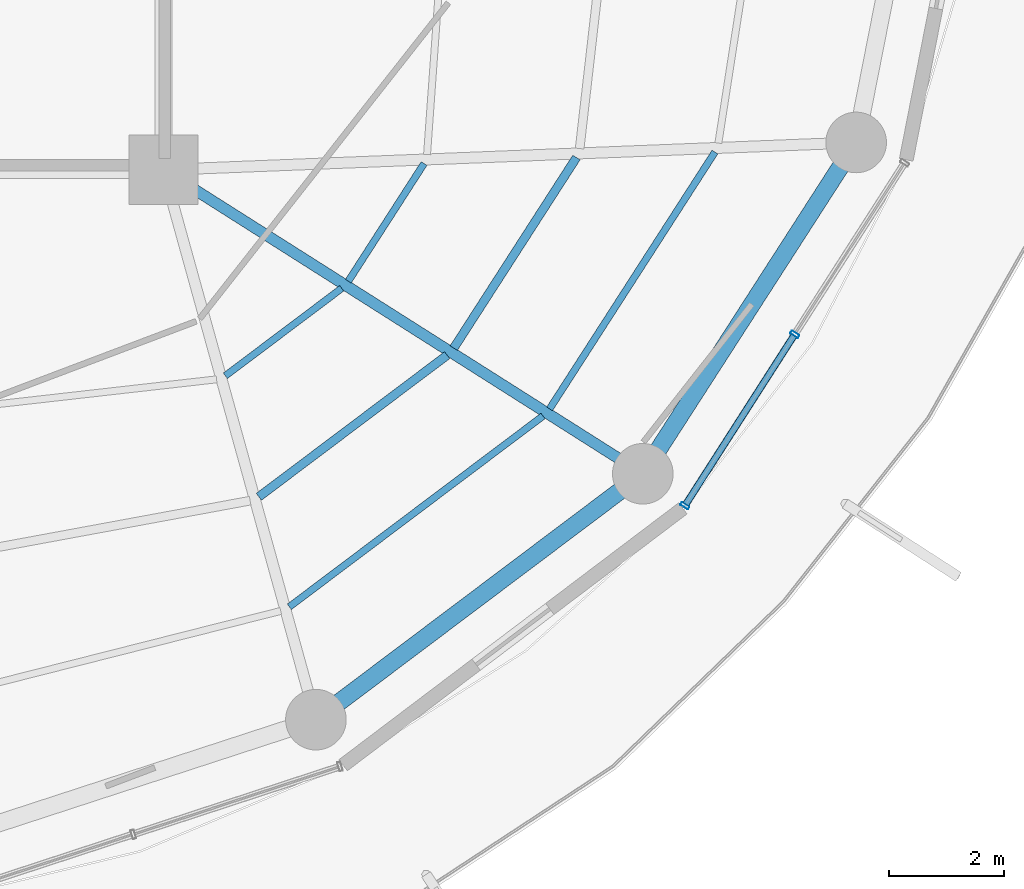
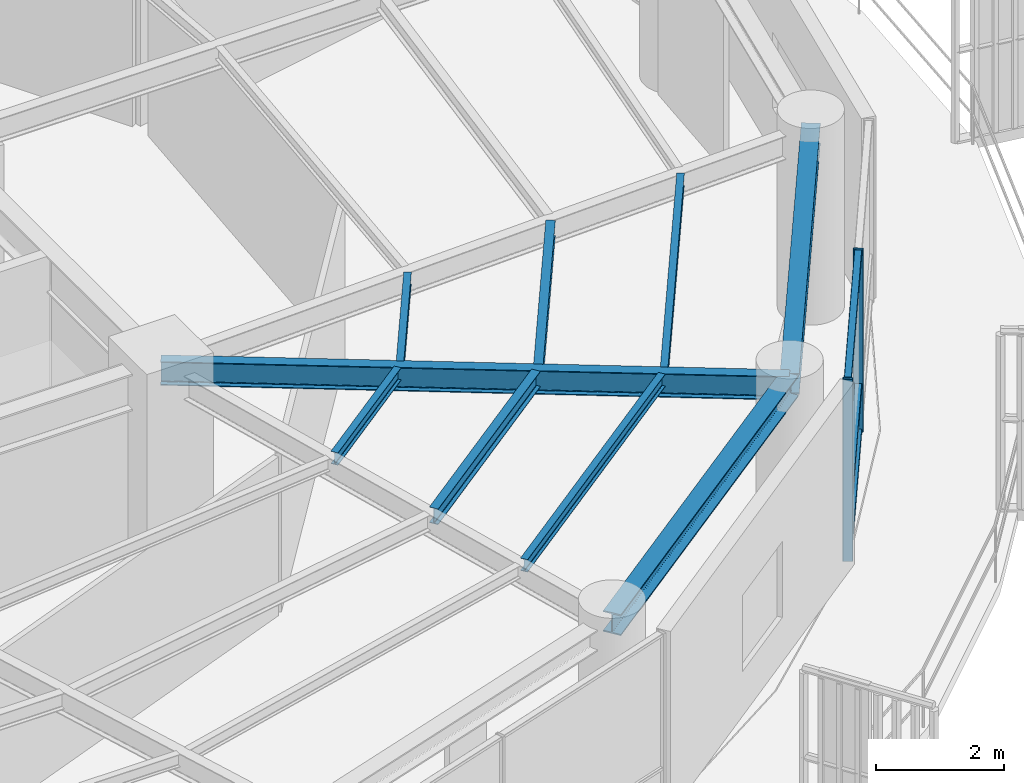
# One storey, part 11 of 31: 9 beams, 5 members, 1 element without a shape of its own.
"""IFC4 building model written with IfcOpenShell, lengths in metres."""

from ifc_helpers import new_model, si_unit, direction, frame, origin, origin_2d, place, context, subcontext, project, spatial, hollow_rectangle, i_section, extrude, material, layer, layer_set, material_profile, profile_set, type_object, element, aggregate, save


model = new_model("IFC4")

# Units and contexts
model_context = context("Model", 3, precision=1e-05, world=origin(), true_north=direction((0.0, 1.0)))
body_context = subcontext(model_context, "Body", "Model", "MODEL_VIEW")
ifc_project = project(units=[si_unit("LENGTHUNIT", "METRE"), si_unit("AREAUNIT", "SQUARE_METRE"), si_unit("VOLUMEUNIT", "CUBIC_METRE"), si_unit("PLANEANGLEUNIT", "RADIAN"), si_unit("MASSUNIT", "GRAM", prefix="KILO")], contexts=[model_context])

# Site, building, storey
site_placement = place(None, origin())
site = spatial("IfcSite", under=ifc_project, at=site_placement, CompositionType="ELEMENT")
building_placement = place(site_placement, origin())
building = spatial("IfcBuilding", under=site, at=building_placement, Name="Kelanora Arch Commons", CompositionType="ELEMENT")
storey_placement = place(building_placement, frame((0.0, 0.0, 196.949951171875)))
storey = spatial("IfcBuildingStorey", under=building, at=storey_placement, Name="L50", CompositionType="ELEMENT", Elevation=196.949951171875)

# Beams
ifc_material_1 = material(Name="Steel S355", Category="steel")
ifc_material_profile_1 = material_profile(ifc_material_1, i_section(OverallWidth=0.14990234375, OverallDepth=0.300048828125, WebThickness=0.007080078125, FlangeThickness=0.0107421875, FilletRadius=0.014892578125, at=origin_2d()), Name="IPE300")
ifc_profile_set_1 = profile_set([ifc_material_profile_1], Name="Steel S355")
beam_type_1 = type_object("IfcBeamType", Name="BM-JST-01", PredefinedType="JOIST", material=ifc_profile_set_1)
beam_1_placement = place(storey_placement, frame((83.65185546875, 45.3369140625, 3.340087890625), z_axis=(0.799101708656, 0.601195857624, 0.0), x_axis=(-0.601195857624, 0.799101708656, 0.0)))
element("IfcBeam", 1, at=beam_1_placement, inside=storey, type_object=beam_type_1, Name="Secondary Chord Joist BJB-30 L50", PredefinedType="JOIST", context=body_context, shape_type="SweptSolid", body=[
    extrude(i_section(OverallWidth=0.14990234375, OverallDepth=0.300048828125, WebThickness=0.007080078125, FlangeThickness=0.0107421875, FilletRadius=0.014892578125, at=origin_2d()), origin(), (0.0, 0.0, 1.0), 4.080810546875),
])
beam_2_placement = place(storey_placement, frame((87.02685546875, 47.912841796875, 3.340087890625), z_axis=(0.541411265892, 0.840757896879, 0.0), x_axis=(-0.840757896879, 0.541411265892, 0.0)))
element("IfcBeam", 2, at=beam_2_placement, inside=storey, type_object=beam_type_1, Name="Secondary Chord Joist BJB-32 L50", PredefinedType="JOIST", context=body_context, shape_type="SweptSolid", body=[
    extrude(i_section(OverallWidth=0.14990234375, OverallDepth=0.300048828125, WebThickness=0.007080078125, FlangeThickness=0.0107421875, FilletRadius=0.014892578125, at=origin_2d()), origin(), (0.0, 0.0, 1.0), 3.92529296875),
])
ifc_material_profile_2 = material_profile(ifc_material_1, i_section(OverallWidth=0.1201171875, OverallDepth=0.239990234375, WebThickness=0.006103515625, FlangeThickness=0.009765625, FilletRadius=0.014892578125, at=origin_2d()), Name="IPE240")
ifc_profile_set_2 = profile_set([ifc_material_profile_2], Name="Steel S355")
beam_type_2 = type_object("IfcBeamType", Name="BM-JST-02", PredefinedType="JOIST", material=ifc_profile_set_2)
beam_3_placement = place(storey_placement, frame((83.071044921875, 47.43212890625, 3.3701171875), z_axis=(0.79911638933, 0.601176343766, 0.0), x_axis=(-0.601176343766, 0.79911638933, 0.0)))
element("IfcBeam", 3, at=beam_3_placement, inside=storey, type_object=beam_type_2, Name="Secondary Chord Joist BJA-30 L50", PredefinedType="JOIST", context=body_context, shape_type="SweptSolid", body=[
    extrude(i_section(OverallWidth=0.1201171875, OverallDepth=0.239990234375, WebThickness=0.006103515625, FlangeThickness=0.009765625, FilletRadius=0.014892578125, at=origin_2d()), origin(), (0.0, 0.0, 1.0), 2.522216796875),
])
beam_4_placement = place(storey_placement, frame((84.179931640625, 43.43212890625, 3.3701171875), z_axis=(0.799109197935, 0.601185902842, 0.0), x_axis=(-0.601185902842, 0.799109197935, 0.0)))
element("IfcBeam", 4, at=beam_4_placement, inside=storey, type_object=beam_type_2, Name="Secondary Chord Joist BJC-30 L50", PredefinedType="JOIST", context=body_context, shape_type="SweptSolid", body=[
    extrude(i_section(OverallWidth=0.1201171875, OverallDepth=0.239990234375, WebThickness=0.006103515625, FlangeThickness=0.009765625, FilletRadius=0.014892578125, at=origin_2d()), origin(), (0.0, 0.0, 1.0), 5.497802734375),
])
beam_5_placement = place(storey_placement, frame((85.20068359375, 49.071044921875, 3.3701171875), z_axis=(0.541332763503, 0.840808443796, 0.0), x_axis=(-0.840808443796, 0.541332763503, 0.0)))
element("IfcBeam", 5, at=beam_5_placement, inside=storey, type_object=beam_type_2, Name="Secondary Chord Joist BJA-32 L50", PredefinedType="JOIST", context=body_context, shape_type="SweptSolid", body=[
    extrude(i_section(OverallWidth=0.1201171875, OverallDepth=0.239990234375, WebThickness=0.006103515625, FlangeThickness=0.009765625, FilletRadius=0.014892578125, at=origin_2d()), origin(), (0.0, 0.0, 1.0), 2.423583984375),
])
beam_6_placement = place(storey_placement, frame((88.68701171875, 46.85986328125, 3.3701171875), z_axis=(0.541382492679, 0.840776424872, 0.0), x_axis=(-0.840776424872, 0.541382492679, 0.0)))
element("IfcBeam", 6, at=beam_6_placement, inside=storey, type_object=beam_type_2, Name="Secondary Chord Joist BJC-32 L50", PredefinedType="JOIST", context=body_context, shape_type="SweptSolid", body=[
    extrude(i_section(OverallWidth=0.1201171875, OverallDepth=0.239990234375, WebThickness=0.006103515625, FlangeThickness=0.009765625, FilletRadius=0.014892578125, at=origin_2d()), origin(), (0.0, 0.0, 1.0), 5.29052734375),
])
ifc_material_profile_3 = material_profile(ifc_material_1, i_section(OverallWidth=0.18994140625, OverallDepth=0.449951171875, WebThickness=0.009521484375, FlangeThickness=0.0146484375, FilletRadius=0.02099609375, at=origin_2d()), Name="IPE450")
ifc_profile_set_3 = profile_set([ifc_material_profile_3], Name="Steel S355")
beam_type_3 = type_object("IfcBeamType", Name="BM-RAD-Z4", PredefinedType="BEAM", material=ifc_profile_set_3)
beam_7_placement = place(storey_placement, frame((82.0, 51.0, 3.26513671875), z_axis=(0.844507208607, -0.535544185489, 0.0), x_axis=(0.535544185489, 0.844507208607, 0.0)))
element("IfcBeam", 7, at=beam_7_placement, inside=storey, type_object=beam_type_3, Name="Radial Floor Girder BR-32 L50", PredefinedType="BEAM", context=body_context, shape_type="SweptSolid", body=[
    extrude(i_section(OverallWidth=0.18994140625, OverallDepth=0.449951171875, WebThickness=0.009521484375, FlangeThickness=0.0146484375, FilletRadius=0.02099609375, at=origin_2d()), origin(), (0.0, 0.0, 1.0), 9.830078125),
])
ifc_material_profile_4 = material_profile(ifc_material_1, i_section(OverallWidth=0.300048828125, OverallDepth=0.39990234375, WebThickness=0.013427734375, FlangeThickness=0.02392578125, FilletRadius=0.027099609375, at=origin_2d()), Name="HEB400")
ifc_profile_set_4 = profile_set([ifc_material_profile_4], Name="Steel S355")
beam_type_4 = type_object("IfcBeamType", Name="BM-SPN-Z4", PredefinedType="SPANDREL", material=ifc_profile_set_4)
beam_8_placement = place(storey_placement, frame((84.639892578125, 41.476318359375, 3.2900390625), z_axis=(0.799114211715, 0.60117923836, 0.0), x_axis=(-0.60117923836, 0.799114211715, 0.0)))
element("IfcBeam", 8, at=beam_8_placement, inside=storey, type_object=beam_type_4, Name="Perimeter Spandrel Beam BS-30 L50", PredefinedType="SPANDREL", context=body_context, shape_type="SweptSolid", body=[
    extrude(i_section(OverallWidth=0.300048828125, OverallDepth=0.39990234375, WebThickness=0.013427734375, FlangeThickness=0.02392578125, FilletRadius=0.027099609375, at=origin_2d()), origin(), (0.0, 0.0, 1.0), 7.0849609375),
])
beam_9_placement = place(storey_placement, frame((90.301513671875, 45.735595703125, 3.2900390625), z_axis=(0.541364878868, 0.840787766281, 0.0), x_axis=(-0.840787766281, 0.541364878868, 0.0)))
element("IfcBeam", 9, at=beam_9_placement, inside=storey, type_object=beam_type_4, Name="Perimeter Spandrel Beam BS-32 L50", PredefinedType="SPANDREL", context=body_context, shape_type="SweptSolid", body=[
    extrude(i_section(OverallWidth=0.300048828125, OverallDepth=0.39990234375, WebThickness=0.013427734375, FlangeThickness=0.02392578125, FilletRadius=0.027099609375, at=origin_2d()), origin(), (0.0, 0.0, 1.0), 6.825439453125),
])

# Curtain wall, members
ifc_material_2 = material(Name="Terracotta ceramic-fritted low-E glass and aluminium", Category="masonry")
ifc_layer = layer(ifc_material_2, 0.175048828125)
ifc_layer_set = layer_set([ifc_layer], Name="Terracotta ceramic-fritted low-E glass and aluminium")
curtain_wall_type = type_object("IfcCurtainWallType", Name="CW-SYS-02", PredefinedType="NOTDEFINED", material=ifc_layer_set)
curtain_wall_placement = place(storey_placement, origin())
curtain_wall = element("IfcCurtainWall", 10, at=curtain_wall_placement, inside=storey, type_object=curtain_wall_type, Name="Unitised Curtain Wall L50-B16", PredefinedType="NOTDEFINED")
ifc_material_3 = material(Name="Powder-coated aluminium terracotta", Category="masonry")
ifc_material_profile_5 = material_profile(ifc_material_3, hollow_rectangle(XDim=0.159912109375, YDim=0.06005859375, WallThickness=0.0048828125, InnerFilletRadius=0.0048828125, OuterFilletRadius=0.010009765625, at=origin_2d()), Name="CWM160x60")
ifc_profile_set_5 = profile_set([ifc_material_profile_5], Name="Powder-coated aluminium terracotta")
member_type_1 = type_object("IfcMemberType", Name="CWM-STD", PredefinedType="MULLION", material=ifc_profile_set_5)
member_1_placement = place(storey_placement, frame((91.030517578125, 45.18212890625, 0.0), z_axis=(0.0, 0.0, 1.0), x_axis=(-0.84194757539, 0.539559338994, 0.0)))
member_1 = element("IfcMember", 11, at=member_1_placement, type_object=member_type_1, Name="CW-02 mullion 1", PredefinedType="MULLION", context=body_context, shape_type="SweptSolid", body=[
    extrude(hollow_rectangle(XDim=0.159912109375, YDim=0.06005859375, WallThickness=0.0048828125, InnerFilletRadius=0.0048828125, OuterFilletRadius=0.010009765625, at=origin_2d()), origin(), (0.0, 0.0, 1.0), 3.47509765625),
])
member_2_placement = place(storey_placement, frame((92.93359375, 48.15185546875, 0.0), z_axis=(0.0, 0.0, 1.0), x_axis=(-0.84194757539, 0.539559338994, 0.0)))
member_2 = element("IfcMember", 12, at=member_2_placement, type_object=member_type_1, Name="CW-02 mullion 2", PredefinedType="MULLION", context=body_context, shape_type="SweptSolid", body=[
    extrude(hollow_rectangle(XDim=0.159912109375, YDim=0.06005859375, WallThickness=0.0048828125, InnerFilletRadius=0.0048828125, OuterFilletRadius=0.010009765625, at=origin_2d()), origin(), (0.0, 0.0, 1.0), 3.47509765625),
])
ifc_material_profile_6 = material_profile(ifc_material_3, hollow_rectangle(XDim=0.1201171875, YDim=0.06005859375, WallThickness=0.0048828125, InnerFilletRadius=0.0048828125, OuterFilletRadius=0.010009765625, at=origin_2d()), Name="CWT120x60")
ifc_profile_set_6 = profile_set([ifc_material_profile_6], Name="Powder-coated aluminium terracotta")
member_type_2 = type_object("IfcMemberType", Name="CWT-STD", PredefinedType="USERDEFINED", material=ifc_profile_set_6)
member_3_placement = place(storey_placement, frame((91.046630859375, 45.207275390625, 0.030029296875), z_axis=(0.53954710894, 0.841955412854, 0.0), x_axis=(-0.841955412854, 0.53954710894, 0.0)))
member_3 = element("IfcMember", 13, at=member_3_placement, type_object=member_type_2, Name="CW-02 transom 1.1", ObjectType="TRANSOM", PredefinedType="USERDEFINED", context=body_context, shape_type="SweptSolid", body=[
    extrude(hollow_rectangle(XDim=0.1201171875, YDim=0.06005859375, WallThickness=0.0048828125, InnerFilletRadius=0.0048828125, OuterFilletRadius=0.010009765625, at=origin_2d()), origin(), (0.0, 0.0, 1.0), 3.467529296875),
])
member_4_placement = place(storey_placement, frame((91.046630859375, 45.207275390625, 0.900146484375), z_axis=(0.53954710894, 0.841955412854, 0.0), x_axis=(-0.841955412854, 0.53954710894, 0.0)))
member_4 = element("IfcMember", 14, at=member_4_placement, type_object=member_type_2, Name="CW-02 transom 1.2", ObjectType="TRANSOM", PredefinedType="USERDEFINED", context=body_context, shape_type="SweptSolid", body=[
    extrude(hollow_rectangle(XDim=0.1201171875, YDim=0.06005859375, WallThickness=0.0048828125, InnerFilletRadius=0.0048828125, OuterFilletRadius=0.010009765625, at=origin_2d()), origin(), (0.0, 0.0, 1.0), 3.467529296875),
])
member_5_placement = place(storey_placement, frame((91.046630859375, 45.207275390625, 3.445068359375), z_axis=(0.53954710894, 0.841955412854, 0.0), x_axis=(-0.841955412854, 0.53954710894, 0.0)))
member_5 = element("IfcMember", 15, at=member_5_placement, type_object=member_type_2, Name="CW-02 transom 1.3", ObjectType="TRANSOM", PredefinedType="USERDEFINED", context=body_context, shape_type="SweptSolid", body=[
    extrude(hollow_rectangle(XDim=0.1201171875, YDim=0.06005859375, WallThickness=0.0048828125, InnerFilletRadius=0.0048828125, OuterFilletRadius=0.010009765625, at=origin_2d()), origin(), (0.0, 0.0, 1.0), 3.467529296875),
])
aggregate(curtain_wall, [member_1, member_2, member_3, member_4, member_5])

save(model, "model.ifc")
